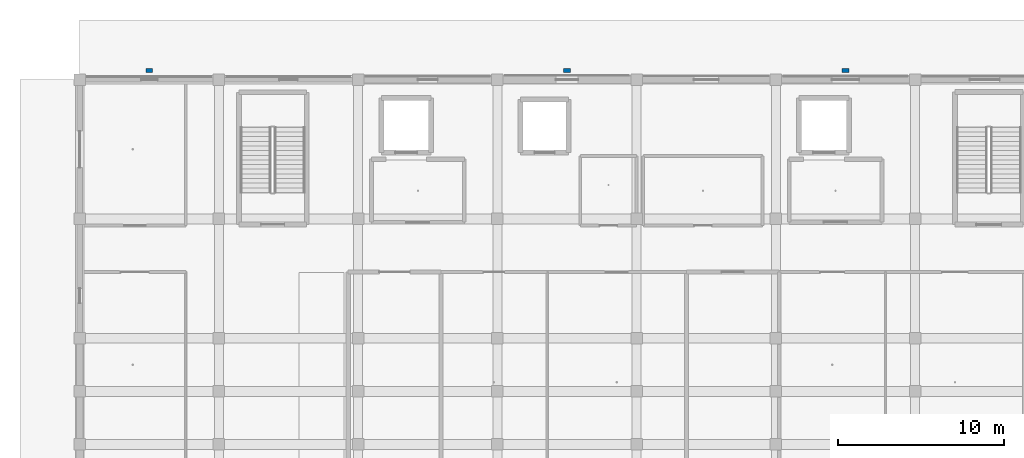
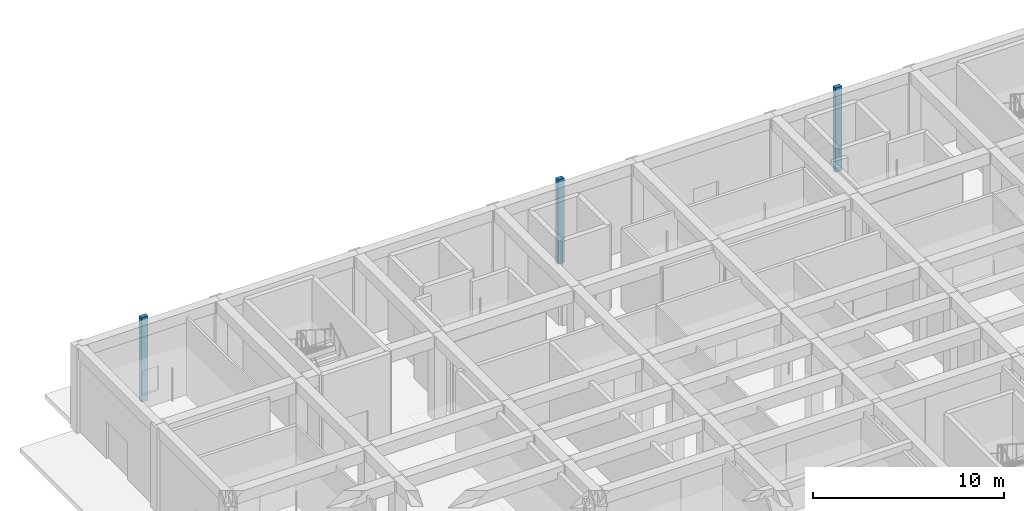
# One storey, part 7 of 167: 3 columns.
"""IFC4 building model written with IfcOpenShell, lengths in metres."""

from ifc_helpers import new_model, si_unit, direction, frame, origin, origin_2d, place, context, subcontext, project, spatial, rectangle, extrude, material, material_profile, profile_set, type_object, element, save


model = new_model("IFC4")

# Units and contexts
model_context = context("Model", 3, precision=1e-05, world=origin(), true_north=direction((0.0, 1.0)))
body_context = subcontext(model_context, "Body", "Model", "MODEL_VIEW")
ifc_project = project(units=[si_unit("LENGTHUNIT", "METRE"), si_unit("AREAUNIT", "SQUARE_METRE"), si_unit("VOLUMEUNIT", "CUBIC_METRE"), si_unit("PLANEANGLEUNIT", "RADIAN"), si_unit("MASSUNIT", "GRAM", prefix="KILO")], contexts=[model_context])

# Site, building, storey
site_placement = place(None, origin())
site = spatial("IfcSite", under=ifc_project, at=site_placement, CompositionType="ELEMENT")
building_placement = place(site_placement, origin())
building = spatial("IfcBuilding", under=site, at=building_placement, Name="Varncliffe General Hospital", CompositionType="ELEMENT")
storey_placement = place(building_placement, origin())
storey = spatial("IfcBuildingStorey", under=building, at=storey_placement, Name="L00", CompositionType="ELEMENT", Elevation=0.0)

# Columns
ifc_material = material(Name="Precast concrete C40/50", Category="concrete")
ifc_material_profile = material_profile(ifc_material, rectangle(XDim=0.39990234375, YDim=0.25, at=origin_2d()), Name="PIL 400x250")
ifc_profile_set = profile_set([ifc_material_profile], Name="Precast concrete C40/50")
column_type = type_object("IfcColumnType", Name="Pilaster PL17 (PIL 400x250)", PredefinedType="PILASTER", material=ifc_profile_set)
for number, where, z_axis, x_axis, name in (
    (1, (4.199951171875, 125.35009765625, 0.0), (0.0, 0.0, 1.0), (1.0, 0.0, 0.0), "L00 Facade Pilaster PL17-12"),
    (2, (29.39990234375, 125.35009765625, 0.0), (0.0, 0.0, 1.0), (1.0, 0.0, 0.0), "L00 Facade Pilaster PL17-13"),
    (3, (46.199951171875, 125.35009765625, 0.0), (0.0, 0.0, 1.0), (1.0, 0.0, 0.0), "L00 Facade Pilaster PL17-14"),
):
    element("IfcColumn", number, at=place(storey_placement, frame(where, z_axis=z_axis, x_axis=x_axis)), inside=storey, type_object=column_type, Name=name, PredefinedType="PILASTER", context=body_context, shape_type="SweptSolid", body=[
        extrude(rectangle(XDim=0.39990234375, YDim=0.25, at=origin_2d()), origin(), (0.0, 0.0, 1.0), 5.39990234375),
    ])

save(model, "model.ifc")
